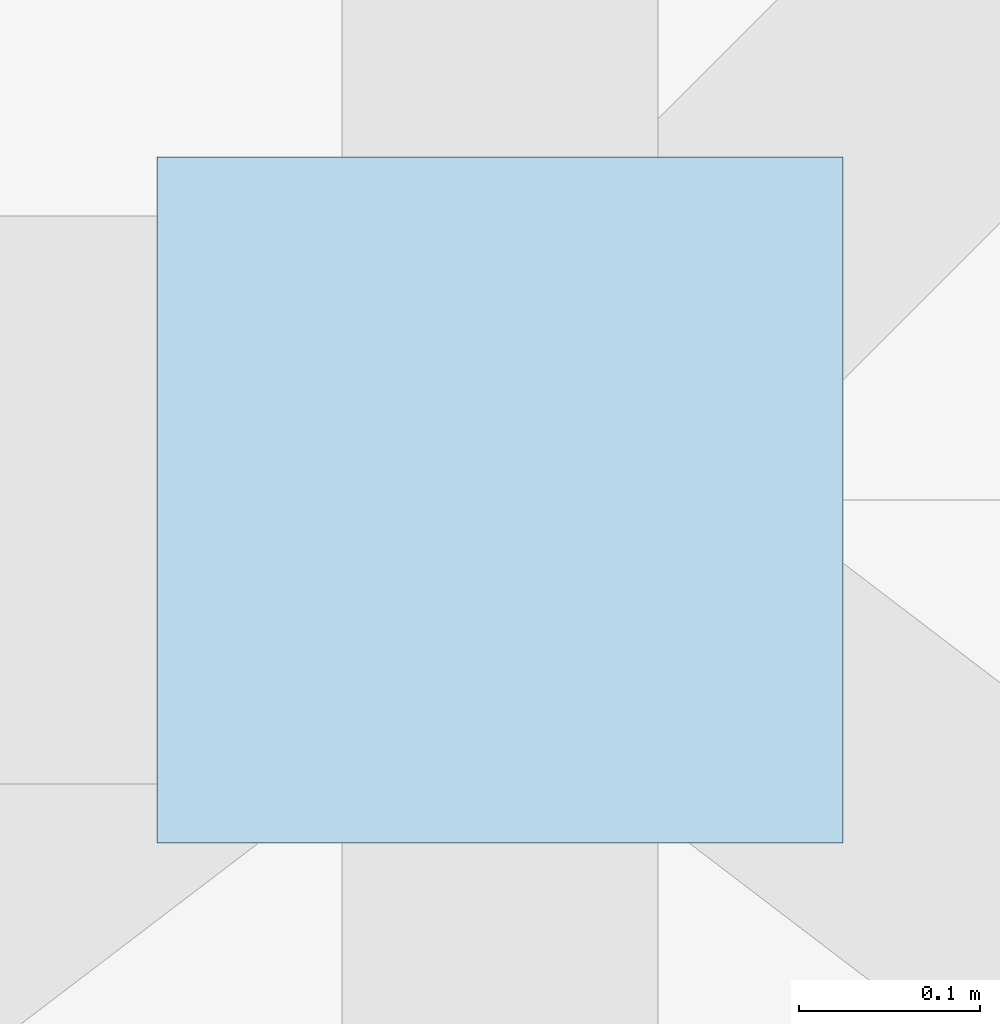
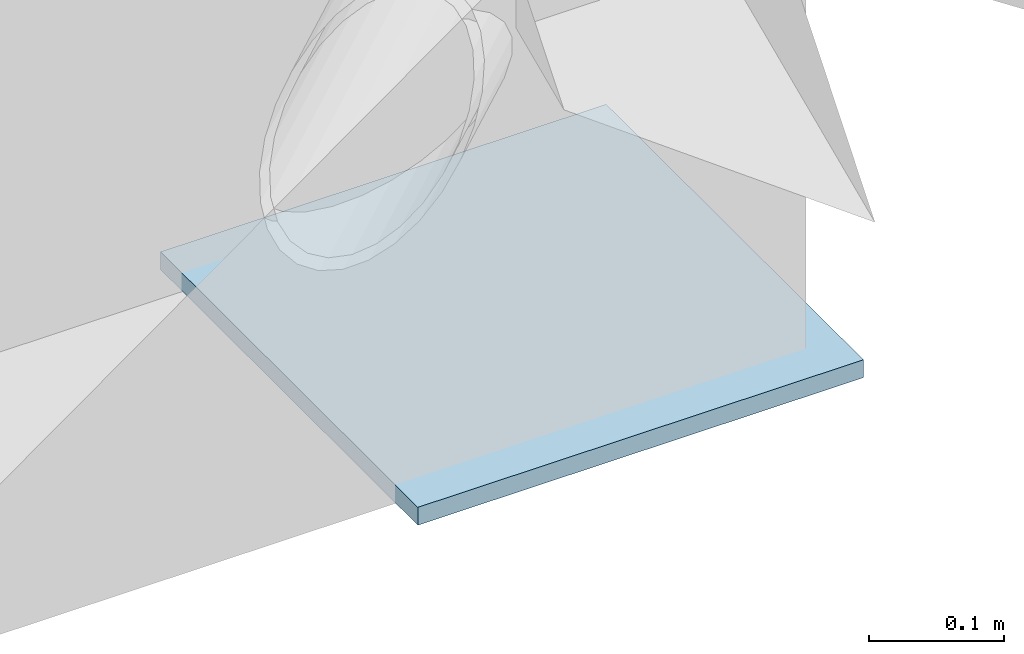
# One storey, part 13 of 22: 1 plate.
"""IFC4 building model written with IfcOpenShell, lengths in metres."""

from ifc_helpers import new_model, si_unit, direction, frame, origin, origin_2d, place, context, subcontext, project, spatial, rectangle, extrude, material, layer, layer_set, type_object, element, save


model = new_model("IFC4")

# Units and contexts
model_context = context("Model", 3, precision=1e-05, world=origin(), true_north=direction((0.0, 1.0)))
body_context = subcontext(model_context, "Body", "Model", "MODEL_VIEW")
ifc_project = project(units=[si_unit("LENGTHUNIT", "METRE"), si_unit("AREAUNIT", "SQUARE_METRE"), si_unit("VOLUMEUNIT", "CUBIC_METRE"), si_unit("PLANEANGLEUNIT", "RADIAN"), si_unit("MASSUNIT", "GRAM", prefix="KILO")], contexts=[model_context])

# Site, building, storey
site_placement = place(None, origin())
site = spatial("IfcSite", under=ifc_project, at=site_placement, CompositionType="ELEMENT")
building_placement = place(site_placement, origin())
building = spatial("IfcBuilding", under=site, at=building_placement, Name="Varncliffe General Hospital", CompositionType="ELEMENT")
storey_placement = place(building_placement, frame((0.0, 0.0, 33.0)))
storey = spatial("IfcBuildingStorey", under=building, at=storey_placement, Name="L07", CompositionType="ELEMENT", Elevation=33.0)

# Plate
ifc_material = material(Name="Steel S355 (CSA G40.21 350W)", Category="steel")
ifc_layer = layer(ifc_material, 0.01611328125)
ifc_layer_set = layer_set([ifc_layer], Name="Steel S355 (CSA G40.21 350W)")
plate_type = type_object("IfcPlateType", Name="Steel Gusset and End Plate GP14 (16mm)", PredefinedType="SHEET", material=ifc_layer_set)
plate_placement = place(storey_placement, frame((168.0, 97.60009765625, 2.476318359375), z_axis=(0.0, 0.0, 1.0), x_axis=(1.0, 0.0, 0.0)))
element("IfcPlate", 1, at=plate_placement, inside=storey, type_object=plate_type, Name="L07 RF-V6-SE2 Lateral Brace Gusset Plate 1", PredefinedType="SHEET", context=body_context, shape_type="SweptSolid", body=[
    extrude(rectangle(XDim=0.3798828125, YDim=0.3798828125, at=origin_2d()), origin(), (0.0, 0.0, 1.0), 0.01611328125),
])

save(model, "model.ifc")
